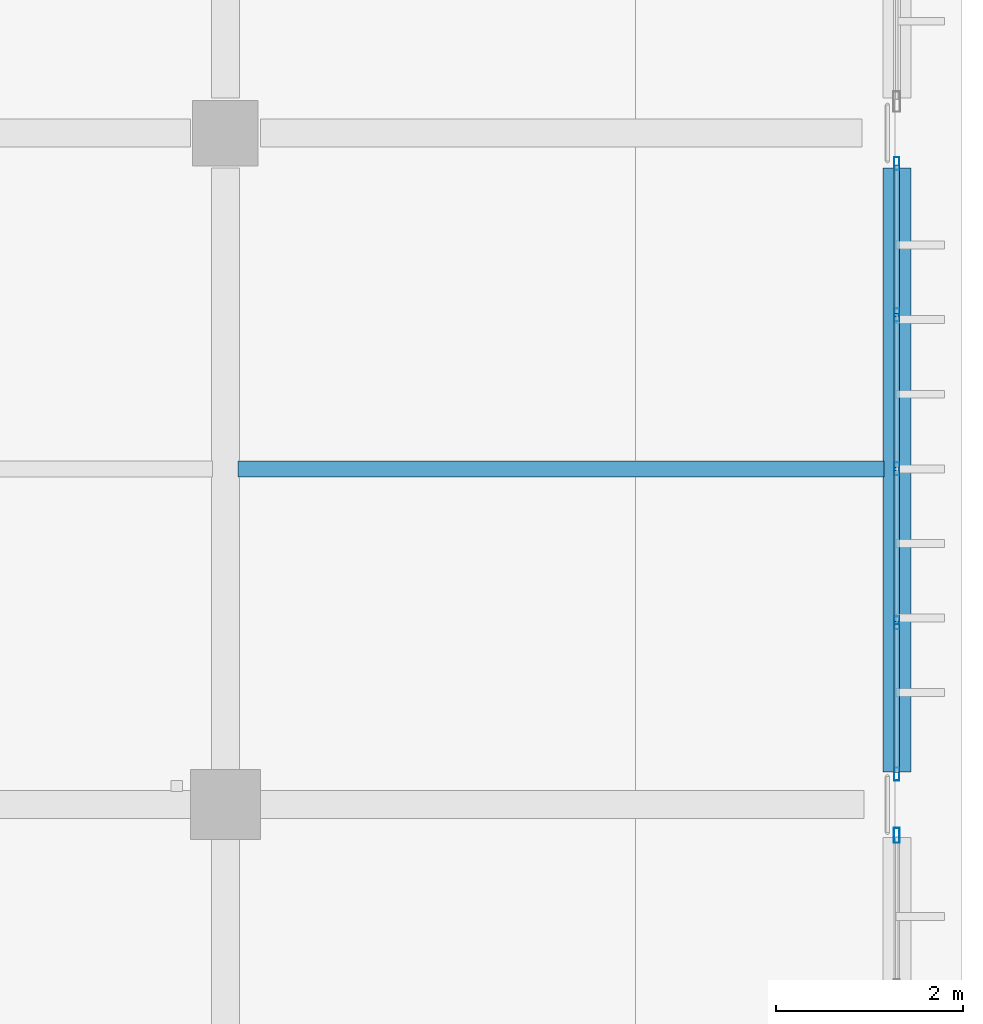
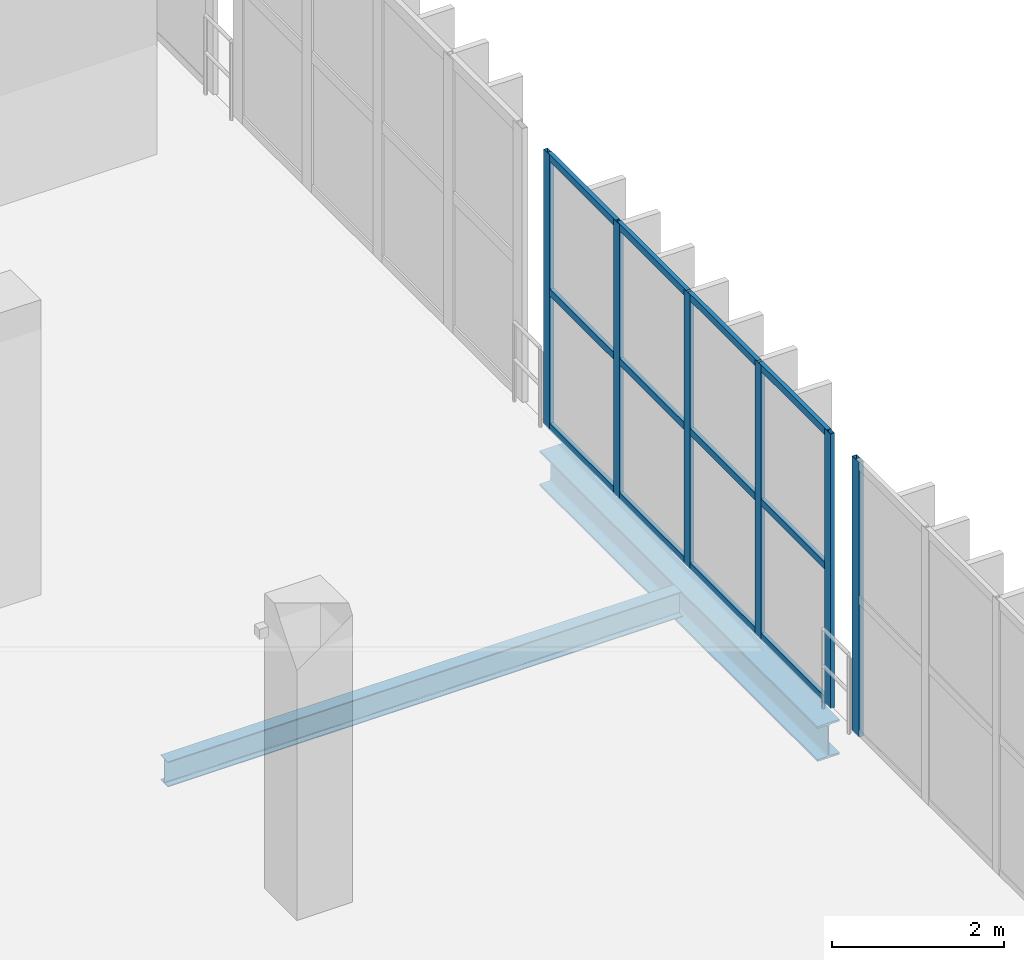
# One storey, part 79 of 130: 18 members, 2 beams, 2 elements without a shape of their own.
"""IFC4 building model written with IfcOpenShell, lengths in metres."""

from ifc_helpers import new_model, si_unit, direction, frame, origin, origin_2d, place, context, subcontext, project, spatial, hollow_rectangle, i_section, extrude, material, material_profile, profile_set, type_object, element, aggregate, save


model = new_model("IFC4")

# Units and contexts
model_context = context("Model", 3, precision=1e-05, world=origin(), true_north=direction((0.0, 1.0)))
body_context = subcontext(model_context, "Body", "Model", "MODEL_VIEW")
ifc_project = project(units=[si_unit("LENGTHUNIT", "METRE"), si_unit("AREAUNIT", "SQUARE_METRE"), si_unit("VOLUMEUNIT", "CUBIC_METRE"), si_unit("PLANEANGLEUNIT", "RADIAN"), si_unit("MASSUNIT", "GRAM", prefix="KILO")], contexts=[model_context])

# Site, building, storey
site_placement = place(None, origin())
site = spatial("IfcSite", under=ifc_project, at=site_placement, CompositionType="ELEMENT")
building_placement = place(site_placement, origin())
building = spatial("IfcBuilding", under=site, at=building_placement, Name="Qandorah Velis Arena", CompositionType="ELEMENT")
storey_placement = place(building_placement, frame((0.0, 0.0, 9.60009765625)))
storey = spatial("IfcBuildingStorey", under=building, at=storey_placement, Name="L02", CompositionType="ELEMENT", Elevation=9.60009765625)

# Curtain wall, members
ifc_material_1 = material(Name="Solar-control low-E double glazing", Category="glass")
curtain_wall_type_1 = type_object("IfcCurtainWallType", Name="ARC-CW-SYS04", PredefinedType="USERDEFINED", material=ifc_material_1)
curtain_wall_1_placement = place(storey_placement, origin())
curtain_wall_1 = element("IfcCurtainWall", 1, at=curtain_wall_1_placement, inside=storey, type_object=curtain_wall_type_1, Name="Unitised curtain wall L02-148", ObjectType="UNITISED CURTAIN WALL", PredefinedType="USERDEFINED")
ifc_material_2 = material(Name="Champagne-bronze anodized aluminium 6063-T6", Category="aluminium")
ifc_material_profile_1 = material_profile(ifc_material_2, hollow_rectangle(XDim=0.054931640625, YDim=0.139892578125, WallThickness=0.0029296875, at=origin_2d()), Name="ALU MULLION 55x140")
ifc_profile_set_1 = profile_set([ifc_material_profile_1], Name="Champagne-bronze anodized aluminium 6063-T6")
member_type_1 = type_object("IfcMemberType", Name="ARC-CWM-140", PredefinedType="MULLION", material=ifc_profile_set_1)
member_1_placement = place(storey_placement, frame((172.800048828125, 65.12744140625, -0.01513671875), z_axis=(0.0, 0.0, 1.0), x_axis=(-1.0, 0.0, 0.0)))
member_1 = element("IfcMember", 2, at=member_1_placement, type_object=member_type_1, Name="CW04 mullion 1", PredefinedType="MULLION", context=body_context, shape_type="SweptSolid", body=[
    extrude(hollow_rectangle(XDim=0.054931640625, YDim=0.139892578125, WallThickness=0.0029296875, at=origin_2d()), origin(), (0.0, 0.0, 1.0), 3.91015625),
])
member_2_placement = place(storey_placement, frame((172.800048828125, 66.75, -0.01513671875), z_axis=(0.0, 0.0, 1.0), x_axis=(-1.0, 0.0, 0.0)))
member_2 = element("IfcMember", 3, at=member_2_placement, type_object=member_type_1, Name="CW04 mullion 2", PredefinedType="MULLION", context=body_context, shape_type="SweptSolid", body=[
    extrude(hollow_rectangle(XDim=0.054931640625, YDim=0.139892578125, WallThickness=0.0029296875, at=origin_2d()), origin(), (0.0, 0.0, 1.0), 3.91015625),
])
member_3_placement = place(storey_placement, frame((172.800048828125, 68.39990234375, -0.01513671875), z_axis=(0.0, 0.0, 1.0), x_axis=(-1.0, 0.0, 0.0)))
member_3 = element("IfcMember", 4, at=member_3_placement, type_object=member_type_1, Name="CW04 mullion 3", PredefinedType="MULLION", context=body_context, shape_type="SweptSolid", body=[
    extrude(hollow_rectangle(XDim=0.054931640625, YDim=0.139892578125, WallThickness=0.0029296875, at=origin_2d()), origin(), (0.0, 0.0, 1.0), 3.91015625),
])
member_4_placement = place(storey_placement, frame((172.800048828125, 70.050048828125, -0.01513671875), z_axis=(0.0, 0.0, 1.0), x_axis=(-1.0, 0.0, 0.0)))
member_4 = element("IfcMember", 5, at=member_4_placement, type_object=member_type_1, Name="CW04 mullion 4", PredefinedType="MULLION", context=body_context, shape_type="SweptSolid", body=[
    extrude(hollow_rectangle(XDim=0.054931640625, YDim=0.139892578125, WallThickness=0.0029296875, at=origin_2d()), origin(), (0.0, 0.0, 1.0), 3.91015625),
])
member_5_placement = place(storey_placement, frame((172.800048828125, 71.672607421875, -0.01513671875), z_axis=(0.0, 0.0, 1.0), x_axis=(-1.0, 0.0, 0.0)))
member_5 = element("IfcMember", 6, at=member_5_placement, type_object=member_type_1, Name="CW04 mullion 5", PredefinedType="MULLION", context=body_context, shape_type="SweptSolid", body=[
    extrude(hollow_rectangle(XDim=0.054931640625, YDim=0.139892578125, WallThickness=0.0029296875, at=origin_2d()), origin(), (0.0, 0.0, 1.0), 3.91015625),
])

# Curtain wall, member
curtain_wall_type_2 = type_object("IfcCurtainWallType", Name="ARC-CW-SYS03", PredefinedType="USERDEFINED", material=ifc_material_1)
curtain_wall_2_placement = place(storey_placement, origin())
curtain_wall_2 = element("IfcCurtainWall", 7, at=curtain_wall_2_placement, inside=storey, type_object=curtain_wall_type_2, Name="Unitised curtain wall L02-147", ObjectType="UNITISED CURTAIN WALL", PredefinedType="USERDEFINED")
ifc_material_profile_2 = material_profile(ifc_material_2, hollow_rectangle(XDim=0.06005859375, YDim=0.159912109375, WallThickness=0.00341796875, at=origin_2d()), Name="ALU MULLION 60x160")
ifc_profile_set_2 = profile_set([ifc_material_profile_2], Name="Champagne-bronze anodized aluminium 6063-T6")
member_type_2 = type_object("IfcMemberType", Name="ARC-CWM-160", PredefinedType="MULLION", material=ifc_profile_set_2)
member_6_placement = place(storey_placement, frame((172.800048828125, 64.469970703125, -0.01513671875), z_axis=(0.0, 0.0, 1.0), x_axis=(-1.0, 0.0, 0.0)))
member_6 = element("IfcMember", 8, at=member_6_placement, type_object=member_type_2, Name="CW03 mullion 5", PredefinedType="MULLION", context=body_context, shape_type="SweptSolid", body=[
    extrude(hollow_rectangle(XDim=0.06005859375, YDim=0.159912109375, WallThickness=0.00341796875, at=origin_2d()), origin(), (0.0, 0.0, 1.0), 3.91015625),
])
aggregate(curtain_wall_2, [member_6])

# Member
ifc_material_profile_3 = material_profile(ifc_material_2, hollow_rectangle(XDim=0.054931640625, YDim=0.10009765625, WallThickness=0.0029296875, at=origin_2d()), Name="ALU TRANSOM 55x100")
ifc_profile_set_3 = profile_set([ifc_material_profile_3], Name="Champagne-bronze anodized aluminium 6063-T6")
member_type_3 = type_object("IfcMemberType", Name="ARC-CWT-100", PredefinedType="USERDEFINED", material=ifc_profile_set_3)
member_7_placement = place(storey_placement, frame((172.800048828125, 65.14306640625, 0.02734375), z_axis=(0.0, 1.0, 0.0), x_axis=(-1.0, 0.0, 0.0)))
member_7 = element("IfcMember", 9, at=member_7_placement, type_object=member_type_3, Name="CW04 transom 1.1", ObjectType="TRANSOM", PredefinedType="USERDEFINED", context=body_context, shape_type="SweptSolid", body=[
    extrude(hollow_rectangle(XDim=0.054931640625, YDim=0.10009765625, WallThickness=0.0029296875, at=origin_2d()), origin(), (0.0, 0.0, 1.0), 1.591552734375),
])

member_8_placement = place(storey_placement, frame((172.800048828125, 65.14306640625, 1.93994140625), z_axis=(0.0, 1.0, 0.0), x_axis=(-1.0, 0.0, 0.0)))
member_8 = element("IfcMember", 10, at=member_8_placement, type_object=member_type_3, Name="CW04 transom 1.2", ObjectType="TRANSOM", PredefinedType="USERDEFINED", context=body_context, shape_type="SweptSolid", body=[
    extrude(hollow_rectangle(XDim=0.054931640625, YDim=0.10009765625, WallThickness=0.0029296875, at=origin_2d()), origin(), (0.0, 0.0, 1.0), 1.591552734375),
])

member_9_placement = place(storey_placement, frame((172.800048828125, 65.14306640625, 3.852294921875), z_axis=(0.0, 1.0, 0.0), x_axis=(-1.0, 0.0, 0.0)))
member_9 = element("IfcMember", 11, at=member_9_placement, type_object=member_type_3, Name="CW04 transom 1.3", ObjectType="TRANSOM", PredefinedType="USERDEFINED", context=body_context, shape_type="SweptSolid", body=[
    extrude(hollow_rectangle(XDim=0.054931640625, YDim=0.10009765625, WallThickness=0.0029296875, at=origin_2d()), origin(), (0.0, 0.0, 1.0), 1.591552734375),
])

member_10_placement = place(storey_placement, frame((172.800048828125, 66.765380859375, 0.02734375), z_axis=(0.0, 1.0, 0.0), x_axis=(-1.0, 0.0, 0.0)))
member_10 = element("IfcMember", 12, at=member_10_placement, type_object=member_type_3, Name="CW04 transom 2.1", ObjectType="TRANSOM", PredefinedType="USERDEFINED", context=body_context, shape_type="SweptSolid", body=[
    extrude(hollow_rectangle(XDim=0.054931640625, YDim=0.10009765625, WallThickness=0.0029296875, at=origin_2d()), origin(), (0.0, 0.0, 1.0), 1.619140625),
])

member_11_placement = place(storey_placement, frame((172.800048828125, 66.765380859375, 1.93994140625), z_axis=(0.0, 1.0, 0.0), x_axis=(-1.0, 0.0, 0.0)))
member_11 = element("IfcMember", 13, at=member_11_placement, type_object=member_type_3, Name="CW04 transom 2.2", ObjectType="TRANSOM", PredefinedType="USERDEFINED", context=body_context, shape_type="SweptSolid", body=[
    extrude(hollow_rectangle(XDim=0.054931640625, YDim=0.10009765625, WallThickness=0.0029296875, at=origin_2d()), origin(), (0.0, 0.0, 1.0), 1.619140625),
])

member_12_placement = place(storey_placement, frame((172.800048828125, 66.765380859375, 3.852294921875), z_axis=(0.0, 1.0, 0.0), x_axis=(-1.0, 0.0, 0.0)))
member_12 = element("IfcMember", 14, at=member_12_placement, type_object=member_type_3, Name="CW04 transom 2.3", ObjectType="TRANSOM", PredefinedType="USERDEFINED", context=body_context, shape_type="SweptSolid", body=[
    extrude(hollow_rectangle(XDim=0.054931640625, YDim=0.10009765625, WallThickness=0.0029296875, at=origin_2d()), origin(), (0.0, 0.0, 1.0), 1.619140625),
])

member_13_placement = place(storey_placement, frame((172.800048828125, 68.41552734375, 0.02734375), z_axis=(0.0, 1.0, 0.0), x_axis=(-1.0, 0.0, 0.0)))
member_13 = element("IfcMember", 15, at=member_13_placement, type_object=member_type_3, Name="CW04 transom 3.1", ObjectType="TRANSOM", PredefinedType="USERDEFINED", context=body_context, shape_type="SweptSolid", body=[
    extrude(hollow_rectangle(XDim=0.054931640625, YDim=0.10009765625, WallThickness=0.0029296875, at=origin_2d()), origin(), (0.0, 0.0, 1.0), 1.618896484375),
])

member_14_placement = place(storey_placement, frame((172.800048828125, 68.41552734375, 1.93994140625), z_axis=(0.0, 1.0, 0.0), x_axis=(-1.0, 0.0, 0.0)))
member_14 = element("IfcMember", 16, at=member_14_placement, type_object=member_type_3, Name="CW04 transom 3.2", ObjectType="TRANSOM", PredefinedType="USERDEFINED", context=body_context, shape_type="SweptSolid", body=[
    extrude(hollow_rectangle(XDim=0.054931640625, YDim=0.10009765625, WallThickness=0.0029296875, at=origin_2d()), origin(), (0.0, 0.0, 1.0), 1.618896484375),
])

member_15_placement = place(storey_placement, frame((172.800048828125, 68.41552734375, 3.852294921875), z_axis=(0.0, 1.0, 0.0), x_axis=(-1.0, 0.0, 0.0)))
member_15 = element("IfcMember", 17, at=member_15_placement, type_object=member_type_3, Name="CW04 transom 3.3", ObjectType="TRANSOM", PredefinedType="USERDEFINED", context=body_context, shape_type="SweptSolid", body=[
    extrude(hollow_rectangle(XDim=0.054931640625, YDim=0.10009765625, WallThickness=0.0029296875, at=origin_2d()), origin(), (0.0, 0.0, 1.0), 1.618896484375),
])

member_16_placement = place(storey_placement, frame((172.800048828125, 70.0654296875, 0.02734375), z_axis=(0.0, 1.0, 0.0), x_axis=(-1.0, 0.0, 0.0)))
member_16 = element("IfcMember", 18, at=member_16_placement, type_object=member_type_3, Name="CW04 transom 4.1", ObjectType="TRANSOM", PredefinedType="USERDEFINED", context=body_context, shape_type="SweptSolid", body=[
    extrude(hollow_rectangle(XDim=0.054931640625, YDim=0.10009765625, WallThickness=0.0029296875, at=origin_2d()), origin(), (0.0, 0.0, 1.0), 1.591552734375),
])

member_17_placement = place(storey_placement, frame((172.800048828125, 70.0654296875, 1.93994140625), z_axis=(0.0, 1.0, 0.0), x_axis=(-1.0, 0.0, 0.0)))
member_17 = element("IfcMember", 19, at=member_17_placement, type_object=member_type_3, Name="CW04 transom 4.2", ObjectType="TRANSOM", PredefinedType="USERDEFINED", context=body_context, shape_type="SweptSolid", body=[
    extrude(hollow_rectangle(XDim=0.054931640625, YDim=0.10009765625, WallThickness=0.0029296875, at=origin_2d()), origin(), (0.0, 0.0, 1.0), 1.591552734375),
])

member_18_placement = place(storey_placement, frame((172.800048828125, 70.0654296875, 3.852294921875), z_axis=(0.0, 1.0, 0.0), x_axis=(-1.0, 0.0, 0.0)))
member_18 = element("IfcMember", 20, at=member_18_placement, type_object=member_type_3, Name="CW04 transom 4.3", ObjectType="TRANSOM", PredefinedType="USERDEFINED", context=body_context, shape_type="SweptSolid", body=[
    extrude(hollow_rectangle(XDim=0.054931640625, YDim=0.10009765625, WallThickness=0.0029296875, at=origin_2d()), origin(), (0.0, 0.0, 1.0), 1.591552734375),
])

aggregate(curtain_wall_1, [member_1, member_2, member_3, member_4, member_5, member_7, member_8, member_9, member_10, member_11, member_12, member_13, member_14, member_15, member_16, member_17, member_18])

# Beams
ifc_material_3 = material(Name="Steel S355", Category="steel")
ifc_material_profile_4 = material_profile(ifc_material_3, i_section(OverallWidth=0.300048828125, OverallDepth=0.5, WebThickness=0.014404296875, FlangeThickness=0.028076171875, FilletRadius=0.027099609375, at=origin_2d()), Name="HEB 500")
ifc_profile_set_4 = profile_set([ifc_material_profile_4], Name="Steel S355")
beam_type_1 = type_object("IfcBeamType", Name="STR-BM-HEB500", PredefinedType="BEAM", material=ifc_profile_set_4)
beam_1_placement = place(storey_placement, frame((172.800048828125, 65.14990234375, -0.530029296875), z_axis=(0.0, 1.0, 0.0), x_axis=(-1.0, 0.0, 0.0)))
element("IfcBeam", 21, at=beam_1_placement, inside=storey, type_object=beam_type_1, Name="Primary floor girder L02 Y-348", PredefinedType="BEAM", context=body_context, shape_type="SweptSolid", body=[
    extrude(i_section(OverallWidth=0.300048828125, OverallDepth=0.5, WebThickness=0.014404296875, FlangeThickness=0.028076171875, FilletRadius=0.027099609375, at=origin_2d()), origin(), (0.0, 0.0, 1.0), 6.47509765625),
])
ifc_material_profile_5 = material_profile(ifc_material_3, i_section(OverallWidth=0.169921875, OverallDepth=0.360107421875, WebThickness=0.008056640625, FlangeThickness=0.0126953125, FilletRadius=0.01806640625, at=origin_2d()), Name="IPE 360")
ifc_profile_set_5 = profile_set([ifc_material_profile_5], Name="Steel S355")
beam_type_2 = type_object("IfcBeamType", Name="STR-JST-IPE360", PredefinedType="JOIST", material=ifc_profile_set_5)
beam_2_placement = place(storey_placement, frame((165.735107421875, 68.39990234375, -0.460205078125), z_axis=(1.0, 0.0, 0.0), x_axis=(0.0, 1.0, 0.0)))
element("IfcBeam", 22, at=beam_2_placement, inside=storey, type_object=beam_type_2, Name="Secondary floor joist L02-105", PredefinedType="JOIST", context=body_context, shape_type="SweptSolid", body=[
    extrude(i_section(OverallWidth=0.169921875, OverallDepth=0.360107421875, WebThickness=0.008056640625, FlangeThickness=0.0126953125, FilletRadius=0.01806640625, at=origin_2d()), origin(), (0.0, 0.0, 1.0), 6.929931640625),
])

save(model, "model.ifc")
